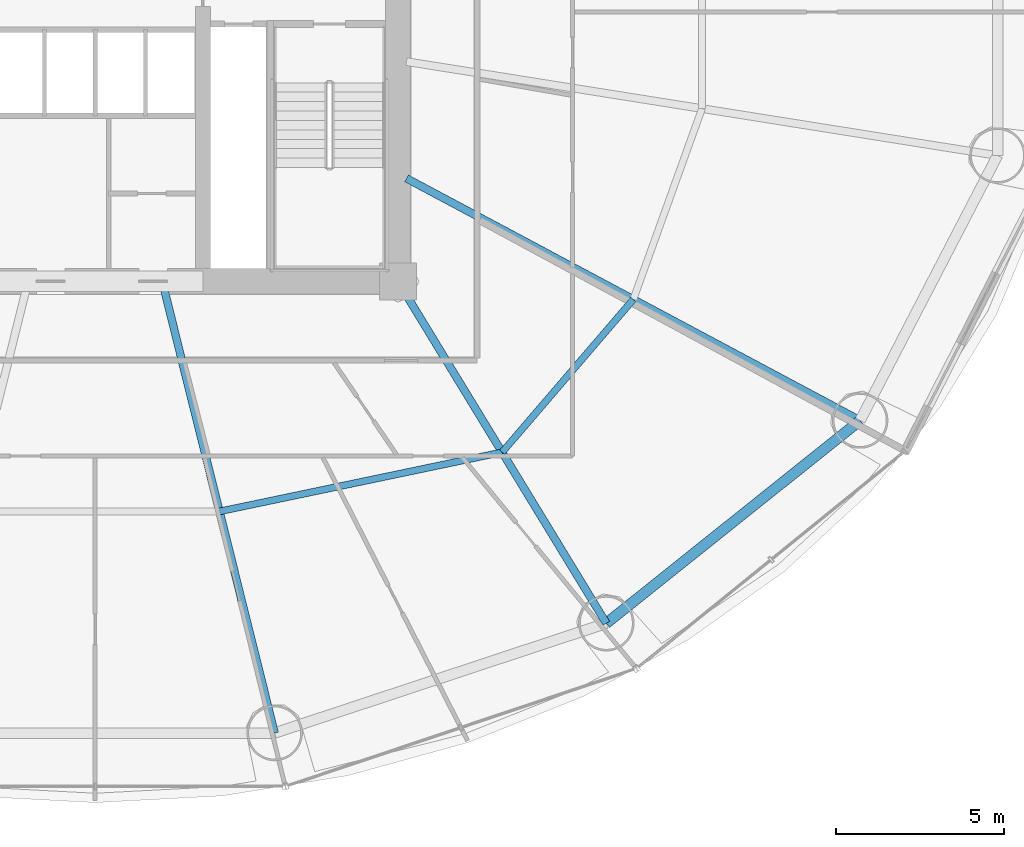
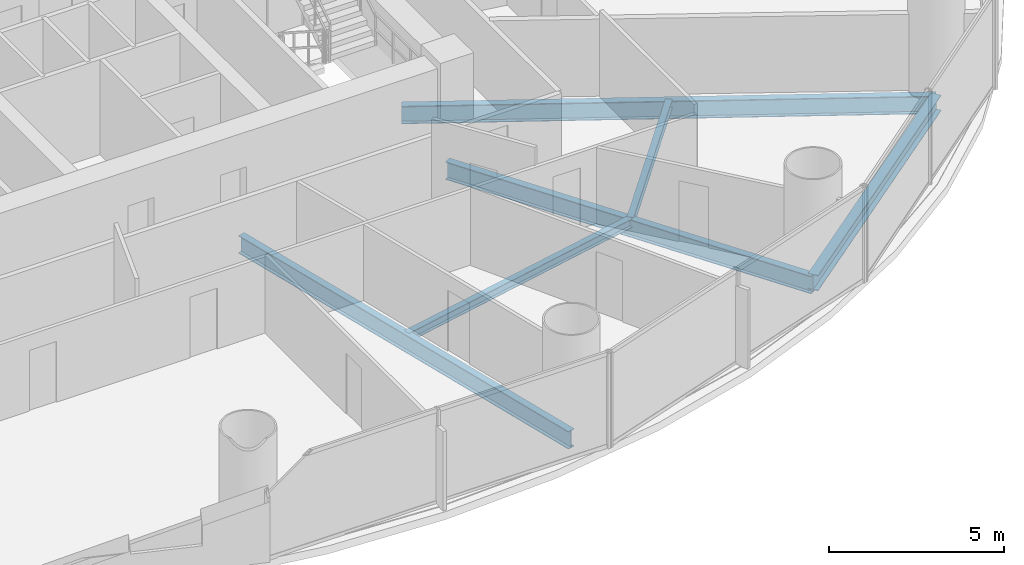
# One storey, part 11 of 29: 6 beams.
"""IFC4 building model written with IfcOpenShell, lengths in metres."""

from ifc_helpers import new_model, si_unit, direction, frame, origin, origin_2d, place, context, subcontext, project, spatial, i_section, extrude, material, material_profile, profile_set, type_object, element, save


model = new_model("IFC4")

# Units and contexts
model_context = context("Model", 3, precision=1e-05, world=origin(), true_north=direction((-0.2419218956, 0.970295726276)))
body_context = subcontext(model_context, "Body", "Model", "MODEL_VIEW")
ifc_project = project(units=[si_unit("LENGTHUNIT", "METRE"), si_unit("AREAUNIT", "SQUARE_METRE"), si_unit("VOLUMEUNIT", "CUBIC_METRE"), si_unit("PLANEANGLEUNIT", "RADIAN"), si_unit("MASSUNIT", "GRAM", prefix="KILO")], contexts=[model_context])

# Site, building, storey
site_placement = place(None, origin())
site = spatial("IfcSite", under=ifc_project, at=site_placement, CompositionType="ELEMENT")
building_placement = place(site_placement, origin())
building = spatial("IfcBuilding", under=site, at=building_placement, Name="Cobrevalo Terracotta Tower", CompositionType="ELEMENT")
storey_placement = place(building_placement, frame((0.0, 0.0, 52.800048828125)))
storey = spatial("IfcBuildingStorey", under=building, at=storey_placement, Name="L13", CompositionType="ELEMENT", Elevation=52.800048828125)

# Beams
ifc_material = material(Name="Steel S355", Category="steel")
ifc_material_profile_1 = material_profile(ifc_material, i_section(OverallWidth=0.22998046875, OverallDepth=0.616943359375, WebThickness=0.01318359375, FlangeThickness=0.022216796875, at=origin_2d()), Name="W 610x140")
ifc_profile_set_1 = profile_set([ifc_material_profile_1], Name="Steel S355")
beam_type_1 = type_object("IfcBeamType", Name="Structural Beam W 610x140 (Steel S355)", PredefinedType="BEAM", material=ifc_profile_set_1)
beam_1_placement = place(storey_placement, frame((43.335693359375, 5.369873046875, -0.588623046875), z_axis=(-0.241600470374, 0.970375810042, 0.0), x_axis=(-0.970375810042, -0.241600470374, 0.0)))
element("IfcBeam", 1, at=beam_1_placement, inside=storey, type_object=beam_type_1, Name="L13 radial floor girder 13", PredefinedType="BEAM", context=body_context, shape_type="SweptSolid", body=[
    extrude(i_section(OverallWidth=0.22998046875, OverallDepth=0.616943359375, WebThickness=0.01318359375, FlangeThickness=0.022216796875, at=origin_2d()), origin(), (0.0, 0.0, 1.0), 13.5771484375),
])
beam_2_placement = place(storey_placement, frame((53.19482421875, 8.63232421875, -0.588623046875), z_axis=(-0.520300780853, 0.853983077961, 0.0), x_axis=(-0.853983077961, -0.520300780853, 0.0)))
element("IfcBeam", 2, at=beam_2_placement, inside=storey, type_object=beam_type_1, Name="L13 radial floor girder 14", PredefinedType="BEAM", context=body_context, shape_type="SweptSolid", body=[
    extrude(i_section(OverallWidth=0.22998046875, OverallDepth=0.616943359375, WebThickness=0.01318359375, FlangeThickness=0.022216796875, at=origin_2d()), origin(), (0.0, 0.0, 1.0), 11.90625),
])
beam_3_placement = place(storey_placement, frame((60.74072265625, 14.660888671875, -0.588623046875), z_axis=(-0.88218223571, 0.470908168329, 0.0), x_axis=(-0.470908168329, -0.88218223571, 0.0)))
element("IfcBeam", 3, at=beam_3_placement, inside=storey, type_object=beam_type_1, Name="L13 radial floor girder 15", PredefinedType="BEAM", context=body_context, shape_type="SweptSolid", body=[
    extrude(i_section(OverallWidth=0.22998046875, OverallDepth=0.616943359375, WebThickness=0.01318359375, FlangeThickness=0.022216796875, at=origin_2d()), origin(), (0.0, 0.0, 1.0), 15.286865234375),
])
ifc_material_profile_2 = material_profile(ifc_material, i_section(OverallWidth=0.2041015625, OverallDepth=0.305908203125, WebThickness=0.008544921875, FlangeThickness=0.0146484375, at=origin_2d()), Name="W 310x67")
ifc_profile_set_2 = profile_set([ifc_material_profile_2], Name="Steel S355")
beam_type_2 = type_object("IfcBeamType", Name="Structural Joist W 310x67 (Steel S355)", PredefinedType="JOIST", material=ifc_profile_set_2)
beam_4_placement = place(storey_placement, frame((41.695556640625, 11.95751953125, -0.43310546875), z_axis=(0.978784523904, 0.204892302848, 0.0), x_axis=(-0.204892302848, 0.978784523904, 0.0)))
element("IfcBeam", 4, at=beam_4_placement, inside=storey, type_object=beam_type_2, Name="L13 circumferential secondary floor joist 13", PredefinedType="JOIST", context=body_context, shape_type="SweptSolid", body=[
    extrude(i_section(OverallWidth=0.2041015625, OverallDepth=0.305908203125, WebThickness=0.008544921875, FlangeThickness=0.0146484375, at=origin_2d()), origin(), (0.0, 0.0, 1.0), 8.583984375),
])
beam_5_placement = place(storey_placement, frame((50.097412109375, 13.71630859375, -0.43310546875), z_axis=(0.651328404454, 0.758795960421, 0.0), x_axis=(-0.758795960421, 0.651328404454, 0.0)))
element("IfcBeam", 5, at=beam_5_placement, inside=storey, type_object=beam_type_2, Name="L13 circumferential secondary floor joist 14", PredefinedType="JOIST", context=body_context, shape_type="SweptSolid", body=[
    extrude(i_section(OverallWidth=0.2041015625, OverallDepth=0.305908203125, WebThickness=0.008544921875, FlangeThickness=0.0146484375, at=origin_2d()), origin(), (0.0, 0.0, 1.0), 5.98828125),
])
ifc_material_profile_3 = material_profile(ifc_material, i_section(OverallWidth=0.31201171875, OverallDepth=0.54296875, WebThickness=0.0126953125, FlangeThickness=0.020263671875, at=origin_2d()), Name="W 530x150")
ifc_profile_set_3 = profile_set([ifc_material_profile_3], Name="Steel S355")
beam_type_3 = type_object("IfcBeamType", Name="Structural Spandrel W 530x150 (Steel S355)", PredefinedType="SPANDREL", material=ifc_profile_set_3)
beam_6_placement = place(storey_placement, frame((53.19482421875, 8.63232421875, -0.551513671875), z_axis=(0.781280479891, 0.62418011162, 0.0), x_axis=(-0.62418011162, 0.781280479891, 0.0)))
element("IfcBeam", 6, at=beam_6_placement, inside=storey, type_object=beam_type_3, Name="L13 perimeter ring spandrel 14", PredefinedType="SPANDREL", context=body_context, shape_type="SweptSolid", body=[
    extrude(i_section(OverallWidth=0.31201171875, OverallDepth=0.54296875, WebThickness=0.0126953125, FlangeThickness=0.020263671875, at=origin_2d()), origin(), (0.0, 0.0, 1.0), 9.658447265625),
])

save(model, "model.ifc")
